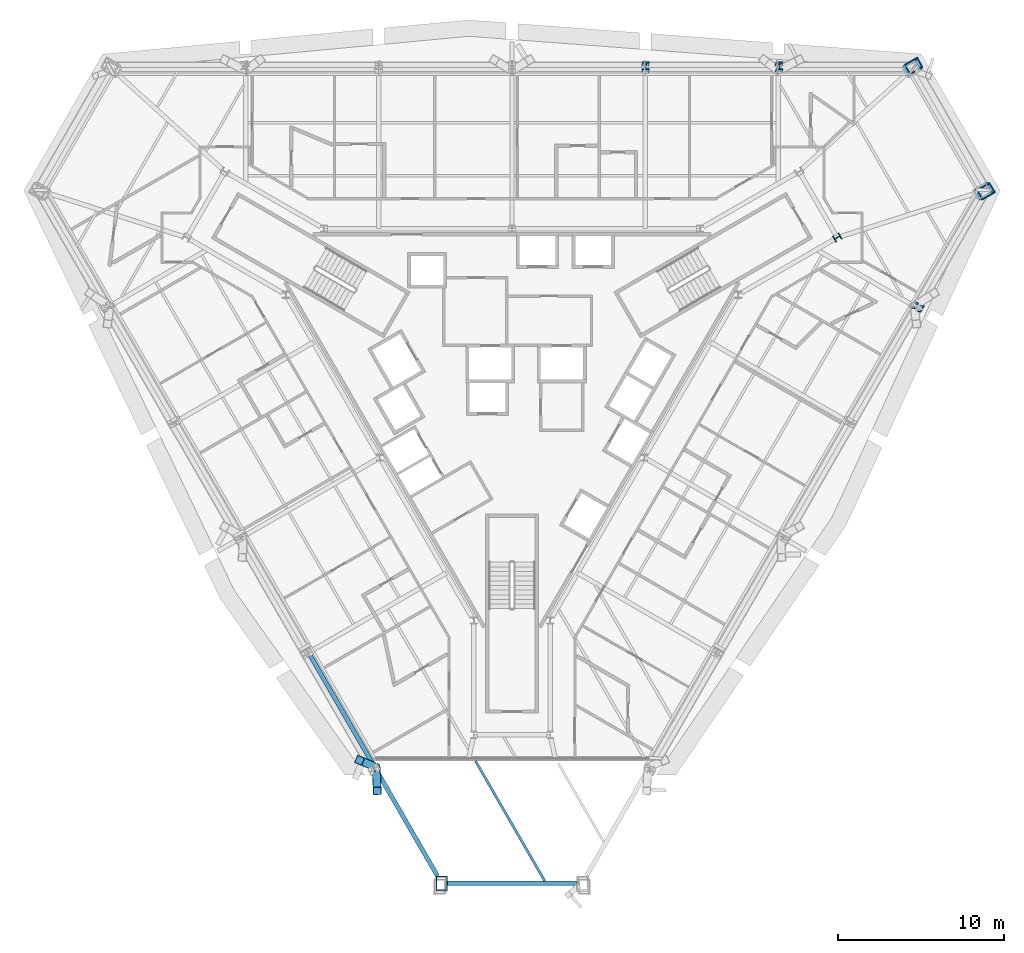
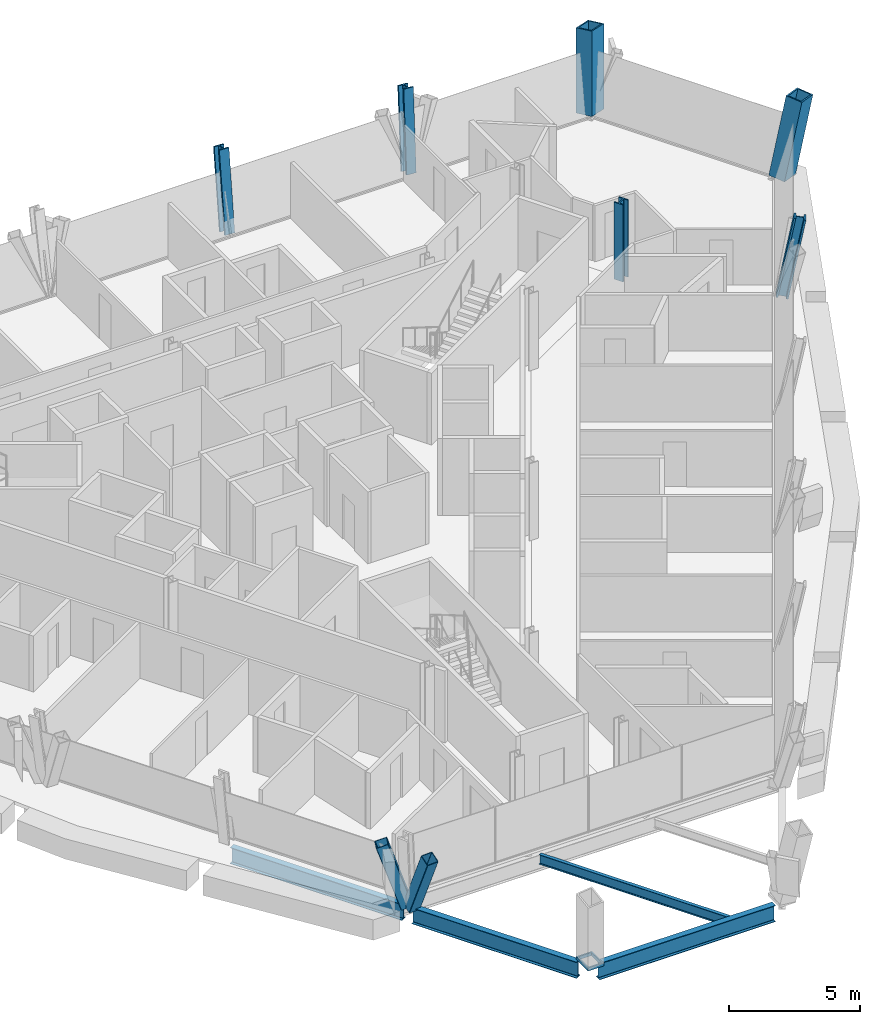
# One storey, part 2 of 15: 6 columns, 4 beams, 3 members.
"""IFC4 building model written with IfcOpenShell, lengths in metres."""

from ifc_helpers import new_model, si_unit, direction, frame, origin, origin_2d, place, context, subcontext, project, spatial, hollow_rectangle, i_section, extrude, material, material_profile, profile_set, type_object, element, save


model = new_model("IFC4")

# Units and contexts
model_context = context("Model", 3, precision=1e-05, world=origin(), true_north=direction((0.0, 1.0)))
body_context = subcontext(model_context, "Body", "Model", "MODEL_VIEW")
ifc_project = project(units=[si_unit("LENGTHUNIT", "METRE"), si_unit("AREAUNIT", "SQUARE_METRE"), si_unit("VOLUMEUNIT", "CUBIC_METRE"), si_unit("PLANEANGLEUNIT", "RADIAN"), si_unit("MASSUNIT", "GRAM", prefix="KILO")], contexts=[model_context])

# Site, building, storey
site_placement = place(None, origin())
site = spatial("IfcSite", under=ifc_project, at=site_placement, CompositionType="ELEMENT")
building_placement = place(site_placement, origin())
building = spatial("IfcBuilding", under=site, at=building_placement, Name="Verrane Prism Tower", CompositionType="ELEMENT")
storey_placement = place(building_placement, frame((0.0, 0.0, 118.0)))
storey = spatial("IfcBuildingStorey", under=building, at=storey_placement, Name="L28", CompositionType="ELEMENT", Elevation=118.0)

# Columns
ifc_material_1 = material(Name="Steel A992", Category="steel")
ifc_material_profile_1 = material_profile(ifc_material_1, i_section(OverallWidth=0.411376953125, OverallDepth=0.434326171875, WebThickness=0.035888671875, FlangeThickness=0.057373046875, FilletRadius=0.01513671875, at=origin_2d()), Name="W14x311")
ifc_profile_set_1 = profile_set([ifc_material_profile_1], Name="Steel A992")
column_type_1 = type_object("IfcColumnType", Name="Core corner column W14x311", PredefinedType="COLUMN", material=ifc_profile_set_1)
column_1_placement = place(storey_placement, frame((19.60009765625, 8.659912109375, 0.0), z_axis=(0.0, 0.0, 1.0), x_axis=(0.5, -0.866025403784, 0.0)))
element("IfcColumn", 1, at=column_1_placement, inside=storey, type_object=column_type_1, Name="Core corner column CK-NEm L28", PredefinedType="COLUMN", context=body_context, shape_type="SweptSolid", body=[
    extrude(i_section(OverallWidth=0.411376953125, OverallDepth=0.434326171875, WebThickness=0.035888671875, FlangeThickness=0.057373046875, FilletRadius=0.01513671875, at=origin_2d()), origin(), (0.0, 0.0, 1.0), 3.60009765625),
])
ifc_material_2 = material(Name="Steel A572 Grade 50", Category="steel")
ifc_material_profile_2 = material_profile(ifc_material_2, hollow_rectangle(XDim=0.699951171875, YDim=0.89990234375, WallThickness=0.06494140625, at=origin_2d()), Name="BOX 900x700x65")
ifc_profile_set_2 = profile_set([ifc_material_profile_2], Name="Steel A572 Grade 50")
column_type_2 = type_object("IfcColumnType", Name="Megacolumn BOX 900x700x65", PredefinedType="COLUMN", material=ifc_profile_set_2)
column_2_placement = place(storey_placement, frame((24.078369140625, 18.8046875, 0.074951171875), z_axis=(0.108418777699, 0.189698332699, 0.975838055834), x_axis=(0.496777298599, -0.860607291206, 0.112104442017)))
element("IfcColumn", 2, at=column_2_placement, inside=storey, type_object=column_type_2, Name="Megacolumn MC-NE.b L28", PredefinedType="COLUMN", context=body_context, shape_type="SweptSolid", body=[
    extrude(hollow_rectangle(XDim=0.699951171875, YDim=0.89990234375, WallThickness=0.06494140625, at=origin_2d()), origin(), (0.0, 0.0, 1.0), 3.535400390625),
])
column_3_placement = place(storey_placement, frame((28.32666015625, 11.449951171875, 0.074951171875), z_axis=(0.216915828776, 0.0, 0.976190310967), x_axis=(0.496943295408, -0.860728700036, -0.11042402856)))
element("IfcColumn", 3, at=column_3_placement, inside=storey, type_object=column_type_2, Name="Megacolumn MC-NE.a L28", PredefinedType="COLUMN", context=body_context, shape_type="SweptSolid", body=[
    extrude(hollow_rectangle(XDim=0.699951171875, YDim=0.89990234375, WallThickness=0.06494140625, at=origin_2d()), origin(), (0.0, 0.0, 1.0), 3.5341796875),
])
ifc_material_3 = material(Name="Steel A992", Category="steel")
ifc_material_profile_3 = material_profile(ifc_material_3, i_section(OverallWidth=0.424072265625, OverallDepth=0.47509765625, WebThickness=0.0478515625, FlangeThickness=0.0771484375, FilletRadius=0.014892578125, at=origin_2d()), Name="W14x426")
ifc_profile_set_3 = profile_set([ifc_material_profile_3], Name="Steel A992")
column_type_3 = type_object("IfcColumnType", Name="Perimeter column W14x426", PredefinedType="COLUMN", material=ifc_profile_set_3)
column_4_placement = place(storey_placement, frame((16.04345703125, 18.798583984375, 0.044921875), z_axis=(0.073403371701, 0.190385739589, 0.978961294017), x_axis=(0.997198693694, 0.000139888166, -0.074798032908)))
element("IfcColumn", 4, at=column_4_placement, inside=storey, type_object=column_type_3, Name="Perimeter column PC-N1 L28", PredefinedType="COLUMN", context=body_context, shape_type="SweptSolid", body=[
    extrude(i_section(OverallWidth=0.424072265625, OverallDepth=0.47509765625, WebThickness=0.0478515625, FlangeThickness=0.0771484375, FilletRadius=0.014892578125, at=origin_2d()), origin(), (0.0, 0.0, 1.0), 3.58544921875),
])
column_5_placement = place(storey_placement, frame((8.021484375, 18.7978515625, 0.0400390625), z_axis=(0.038166775525, 0.190697810689, 0.980906541035), x_axis=(0.999244895172, -0.000136180079, -0.038853840576)))
element("IfcColumn", 5, at=column_5_placement, inside=storey, type_object=column_type_3, Name="Perimeter column PC-N2 L28", PredefinedType="COLUMN", context=body_context, shape_type="SweptSolid", body=[
    extrude(i_section(OverallWidth=0.424072265625, OverallDepth=0.47509765625, WebThickness=0.0478515625, FlangeThickness=0.0771484375, FilletRadius=0.014892578125, at=origin_2d()), origin(), (0.0, 0.0, 1.0), 3.588623046875),
])
column_6_placement = place(storey_placement, frame((24.309326171875, 4.49853515625, 0.044921875), z_axis=(0.20122090252, -0.032617533776, 0.979002678689), x_axis=(-0.49858735319, -0.863700568811, 0.073701958421)))
element("IfcColumn", 6, at=column_6_placement, inside=storey, type_object=column_type_3, Name="Perimeter column PC-SE5 L28", PredefinedType="COLUMN", context=body_context, shape_type="SweptSolid", body=[
    extrude(i_section(OverallWidth=0.424072265625, OverallDepth=0.47509765625, WebThickness=0.0478515625, FlangeThickness=0.0771484375, FilletRadius=0.014892578125, at=origin_2d()), origin(), (0.0, 0.0, 1.0), 3.585205078125),
])

# Beam
ifc_material_4 = material(Name="Steel A992", Category="steel")
ifc_material_profile_4 = material_profile(ifc_material_4, i_section(OverallWidth=0.2666015625, OverallDepth=0.76708984375, WebThickness=0.014892578125, FlangeThickness=0.023681640625, FilletRadius=0.0166015625, at=origin_2d()), Name="W30x124")
ifc_profile_set_4 = profile_set([ifc_material_profile_4], Name="Steel A992")
beam_type_1 = type_object("IfcBeamType", Name="Chamfer spandrel beam W30x124", PredefinedType="SPANDREL", material=ifc_profile_set_4)
beam_1_placement = place(storey_placement, frame((-3.889892578125, -30.239990234375, -0.54345703125), z_axis=(1.0, 0.0, 0.0), x_axis=(0.0, 1.0, 0.0)))
element("IfcBeam", 7, at=beam_1_placement, inside=storey, type_object=beam_type_1, Name="Chamfer spandrel beam L28", PredefinedType="SPANDREL", context=body_context, shape_type="SweptSolid", body=[
    extrude(i_section(OverallWidth=0.2666015625, OverallDepth=0.76708984375, WebThickness=0.014892578125, FlangeThickness=0.023681640625, FilletRadius=0.0166015625, at=origin_2d()), origin(), (0.0, 0.0, 1.0), 7.77978515625),
])

# Members
ifc_material_5 = material(Name="Steel A1085 Grade A", Category="steel")
ifc_material_profile_5 = material_profile(ifc_material_5, hollow_rectangle(XDim=0.508056640625, YDim=0.508056640625, WallThickness=0.025390625, InnerFilletRadius=0.0126953125, OuterFilletRadius=0.0380859375, at=origin_2d()), Name="HSS20x20x1")
ifc_profile_set_5 = profile_set([ifc_material_profile_5], Name="Steel A1085 Grade A")
member_type_1 = type_object("IfcMemberType", Name="Facade brace HSS20x20x1", PredefinedType="BRACE", material=ifc_profile_set_5)
member_1_placement = place(storey_placement, frame((-8.29443359375, -23.212890625, -0.197509765625), z_axis=(-0.285051790869, 0.121963626926, 0.95072096339), x_axis=(-0.393370375922, -0.919380088618, 0.0)))
element("IfcMember", 8, at=member_1_placement, inside=storey, type_object=member_type_1, Name="Facade brace SW4 L28", PredefinedType="BRACE", context=body_context, shape_type="SweptSolid", body=[
    extrude(hollow_rectangle(XDim=0.508056640625, YDim=0.508056640625, WallThickness=0.025390625, InnerFilletRadius=0.0126953125, OuterFilletRadius=0.0380859375, at=origin_2d()), origin(), (0.0, 0.0, 1.0), 3.11669921875),
])
member_2_placement = place(storey_placement, frame((-8.1845703125, -23.403564453125, -0.197509765625), z_axis=(0.021182502342, -0.395583231241, 0.918185824741), x_axis=(0.998569407128, 0.053470918722, 0.0)))
element("IfcMember", 9, at=member_2_placement, inside=storey, type_object=member_type_1, Name="Facade brace SW5 L28", PredefinedType="BRACE", context=body_context, shape_type="SweptSolid", body=[
    extrude(hollow_rectangle(XDim=0.508056640625, YDim=0.508056640625, WallThickness=0.025390625, InnerFilletRadius=0.0126953125, OuterFilletRadius=0.0380859375, at=origin_2d()), origin(), (0.0, 0.0, 1.0), 3.22705078125),
])

# Beam
ifc_material_6 = material(Name="Steel A992", Category="steel")
ifc_material_profile_6 = material_profile(ifc_material_6, i_section(OverallWidth=0.15234375, OverallDepth=0.449462890625, WebThickness=0.007568359375, FlangeThickness=0.0107421875, FilletRadius=0.01025390625, at=origin_2d()), Name="W18x35")
ifc_profile_set_6 = profile_set([ifc_material_profile_6], Name="Steel A992")
beam_type_2 = type_object("IfcBeamType", Name="Floor beam W18x35", PredefinedType="BEAM", material=ifc_profile_set_6)
beam_2_placement = place(storey_placement, frame((1.9736328125, -30.1064453125, -0.384765625), z_axis=(-0.500009228255, 0.866020075783, 0.0), x_axis=(-0.866020075783, -0.500009228255, 0.0)))
element("IfcBeam", 10, at=beam_2_placement, inside=storey, type_object=beam_type_2, Name="Floor beam L28", PredefinedType="BEAM", context=body_context, shape_type="SweptSolid", body=[
    extrude(i_section(OverallWidth=0.15234375, OverallDepth=0.449462890625, WebThickness=0.007568359375, FlangeThickness=0.0107421875, FilletRadius=0.01025390625, at=origin_2d()), origin(), (0.0, 0.0, 1.0), 8.351806640625),
])

# Member
ifc_material_7 = material(Name="Steel A572 Grade 50", Category="steel")
ifc_material_profile_7 = material_profile(ifc_material_7, hollow_rectangle(XDim=0.699951171875, YDim=0.89990234375, WallThickness=0.06494140625, at=origin_2d()), Name="BOX 900x700x65")
ifc_profile_set_7 = profile_set([ifc_material_profile_7], Name="Steel A572 Grade 50")
member_type_2 = type_object("IfcMemberType", Name="Kink node BOX 900x700x65", PredefinedType="COLLAR", material=ifc_profile_set_7)
member_3_placement = place(storey_placement, frame((-4.244140625, -30.247314453125, -0.074951171875), z_axis=(0.0, 0.0, 1.0), x_axis=(-1.0, 0.0, 0.0)))
element("IfcMember", 11, at=member_3_placement, inside=storey, type_object=member_type_2, Name="Kink node MC3 L28", PredefinedType="COLLAR", context=body_context, shape_type="SweptSolid", body=[
    extrude(hollow_rectangle(XDim=0.699951171875, YDim=0.89990234375, WallThickness=0.06494140625, at=origin_2d()), origin(), (0.0, 0.0, 1.0), 0.14990234375),
])

# Beams
ifc_material_8 = material(Name="Steel A992", Category="steel")
ifc_material_profile_8 = material_profile(ifc_material_8, i_section(OverallWidth=0.2666015625, OverallDepth=0.7568359375, WebThickness=0.013916015625, FlangeThickness=0.019287109375, FilletRadius=0.0166015625, at=origin_2d()), Name="W30x108")
ifc_profile_set_8 = profile_set([ifc_material_profile_8], Name="Steel A992")
beam_type_3 = type_object("IfcBeamType", Name="Spandrel beam W30x108", PredefinedType="SPANDREL", material=ifc_profile_set_8)
beam_3_placement = place(storey_placement, frame((-12.154052734375, -16.523681640625, -0.53857421875), z_axis=(0.499770658239, -0.866157773828, 0.0), x_axis=(0.866157773828, 0.499770658239, 0.0)))
element("IfcBeam", 12, at=beam_3_placement, inside=storey, type_object=beam_type_3, Name="Spandrel beam L28", PredefinedType="SPANDREL", context=body_context, shape_type="SweptSolid", body=[
    extrude(i_section(OverallWidth=0.2666015625, OverallDepth=0.7568359375, WebThickness=0.013916015625, FlangeThickness=0.019287109375, FilletRadius=0.0166015625, at=origin_2d()), origin(), (0.0, 0.0, 1.0), 7.599609375),
])
beam_4_placement = place(storey_placement, frame((-8.14404296875, -23.4736328125, -0.53857421875), z_axis=(0.499768824934, -0.866158831638, 0.0), x_axis=(0.866158831638, 0.499768824934, 0.0)))
element("IfcBeam", 13, at=beam_4_placement, inside=storey, type_object=beam_type_3, Name="Spandrel beam L28", PredefinedType="SPANDREL", context=body_context, shape_type="SweptSolid", body=[
    extrude(i_section(OverallWidth=0.2666015625, OverallDepth=0.7568359375, WebThickness=0.013916015625, FlangeThickness=0.019287109375, FilletRadius=0.0166015625, at=origin_2d()), origin(), (0.0, 0.0, 1.0), 7.29248046875),
])

save(model, "model.ifc")
